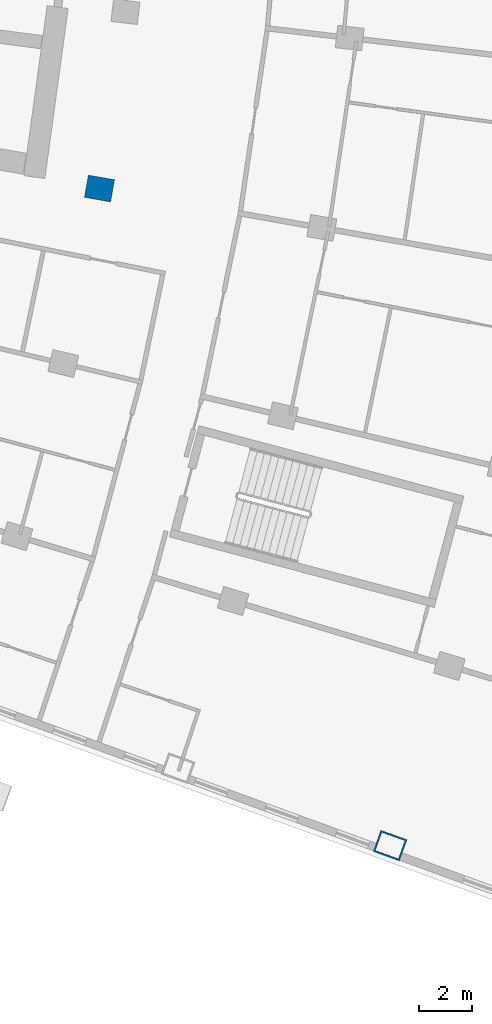
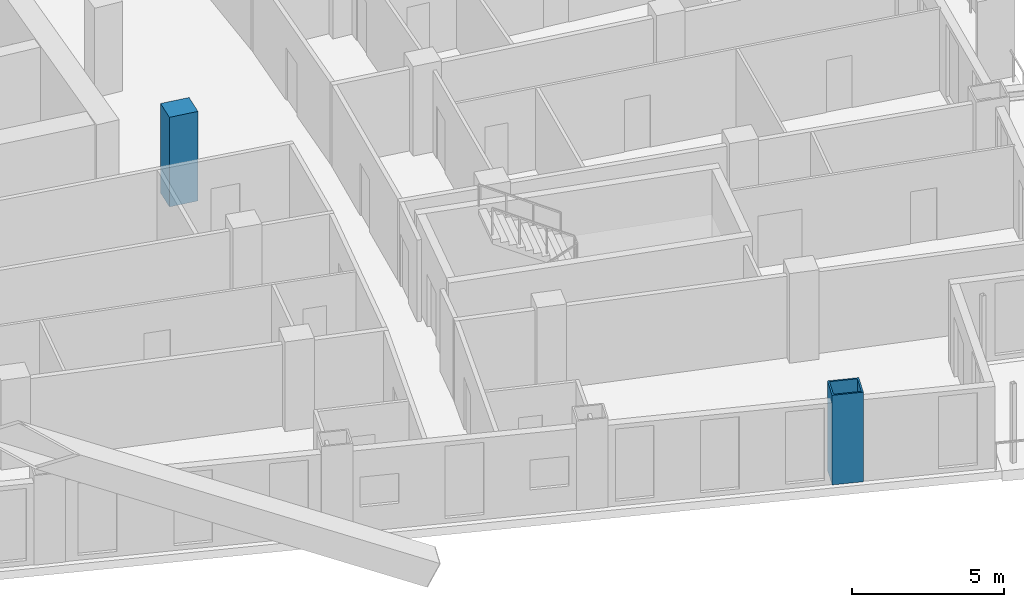
# One storey, part 4 of 25: 2 columns.
"""IFC4 building model written with IfcOpenShell, lengths in metres."""

from ifc_helpers import new_model, si_unit, direction, frame, origin, origin_2d, place, context, subcontext, project, spatial, rectangle, hollow_rectangle, extrude, material, material_profile, profile_set, type_object, element, save


model = new_model("IFC4")

# Units and contexts
model_context = context("Model", 3, precision=1e-05, world=origin(), true_north=direction((0.0, 1.0)))
body_context = subcontext(model_context, "Body", "Model", "MODEL_VIEW")
ifc_project = project(units=[si_unit("LENGTHUNIT", "METRE"), si_unit("AREAUNIT", "SQUARE_METRE"), si_unit("VOLUMEUNIT", "CUBIC_METRE"), si_unit("PLANEANGLEUNIT", "RADIAN"), si_unit("MASSUNIT", "GRAM", prefix="KILO")], contexts=[model_context])

# Site, building, storey
site_placement = place(None, origin())
site = spatial("IfcSite", under=ifc_project, at=site_placement, CompositionType="ELEMENT")
building_placement = place(site_placement, origin())
building = spatial("IfcBuilding", under=site, at=building_placement, Name="Alderwake Tower", CompositionType="ELEMENT")
storey_placement = place(building_placement, frame((0.0, 0.0, 93.199951171875)))
storey = spatial("IfcBuildingStorey", under=building, at=storey_placement, Name="L22", CompositionType="ELEMENT", Elevation=93.199951171875)

# Columns
ifc_material_1 = material(Name="Steel ASTM A572 Grade 50 concrete filled C70/85", Category="concrete")
ifc_material_profile_1 = material_profile(ifc_material_1, hollow_rectangle(XDim=0.85009765625, YDim=1.050048828125, WallThickness=0.06005859375, at=origin_2d()), Name="BOX 1050X850X60")
ifc_profile_set_1 = profile_set([ifc_material_profile_1], Name="Steel ASTM A572 Grade 50 concrete filled C70/85")
column_type_1 = type_object("IfcColumnType", Name="End column Z2", PredefinedType="COLUMN", material=ifc_profile_set_1)
column_1_placement = place(storey_placement, frame((45.015869140625, 16.00439453125, 0.0), z_axis=(0.0, 0.0, 1.0), x_axis=(0.33865252722, 0.940911507958, 0.0)))
element("IfcColumn", 1, at=column_1_placement, inside=storey, type_object=column_type_1, Name="Column R01-C4", PredefinedType="COLUMN", context=body_context, shape_type="SweptSolid", body=[
    extrude(hollow_rectangle(XDim=0.85009765625, YDim=1.050048828125, WallThickness=0.06005859375, at=origin_2d()), origin(), (0.0, 0.0, 1.0), 3.60009765625),
])
ifc_material_2 = material(Name="Concrete C70/85", Category="concrete")
ifc_material_profile_2 = material_profile(ifc_material_2, rectangle(XDim=0.85009765625, YDim=1.0, at=origin_2d()), Name="RC 1000X850")
ifc_profile_set_2 = profile_set([ifc_material_profile_2], Name="Concrete C70/85")
column_type_2 = type_object("IfcColumnType", Name="Interior column Z2", PredefinedType="COLUMN", material=ifc_profile_set_2)
column_2_placement = place(storey_placement, frame((34.03125, 40.83837890625, 0.0), z_axis=(0.0, 0.0, 1.0), x_axis=(0.174108800747, 0.984726421654, 0.0)))
element("IfcColumn", 2, at=column_2_placement, inside=storey, type_object=column_type_2, Name="Column R04-C2", PredefinedType="COLUMN", context=body_context, shape_type="SweptSolid", body=[
    extrude(rectangle(XDim=0.85009765625, YDim=1.0, at=origin_2d()), origin(), (0.0, 0.0, 1.0), 3.60009765625),
])

save(model, "model.ifc")
